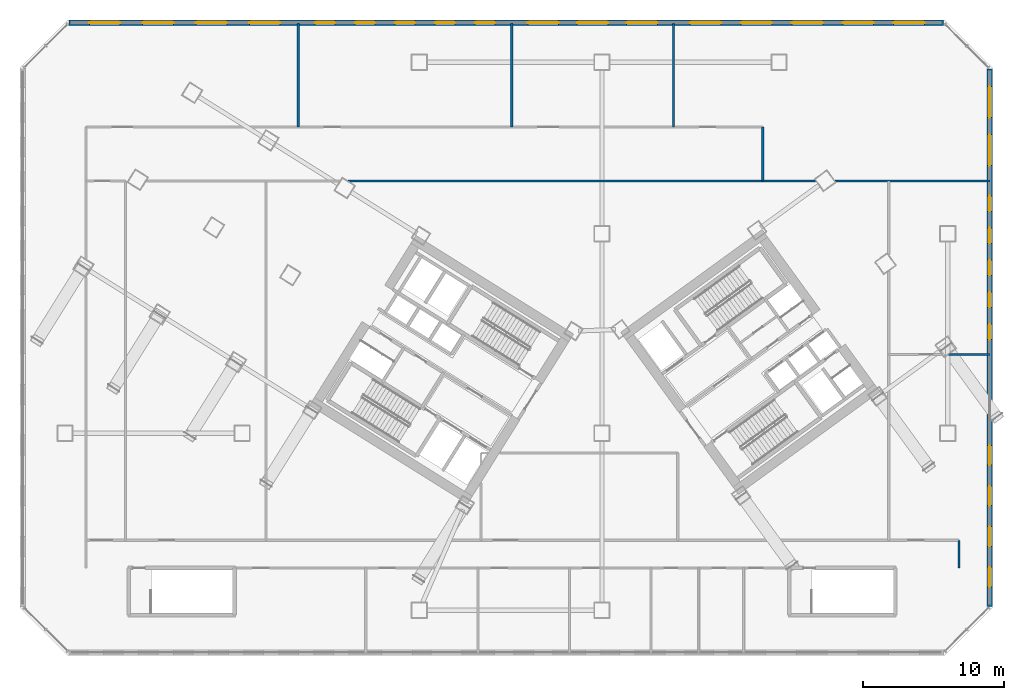
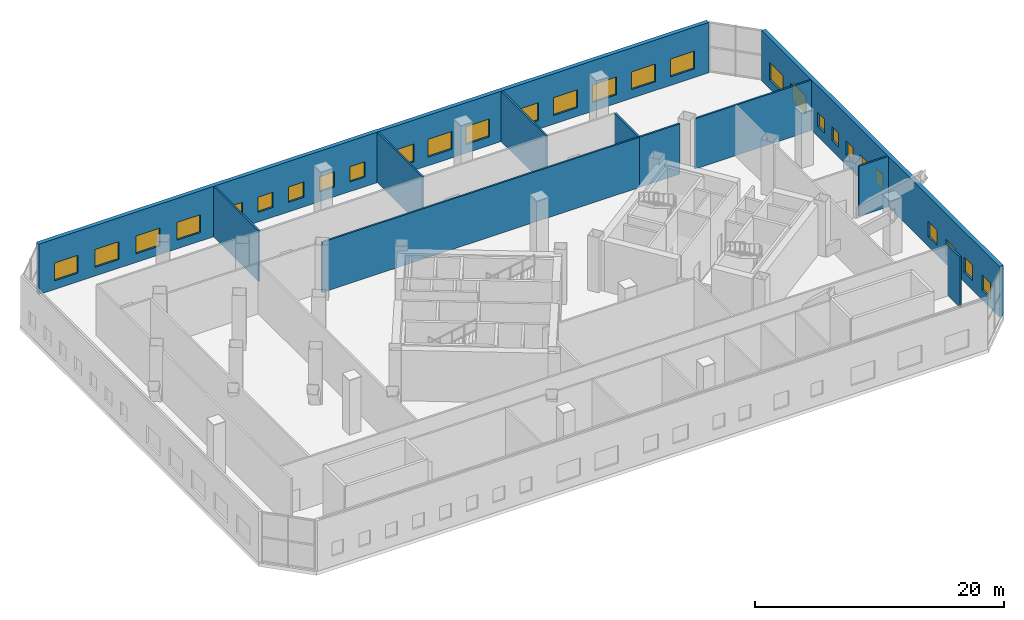
# One storey, part 17 of 23: 28 windows, 11 walls, 28 openings.
"""IFC4 building model written with IfcOpenShell, lengths in metres."""

from ifc_helpers import new_model, si_unit, direction, frame, frame_2d, origin, place, context, subcontext, project, spatial, rectangle, extrude, source, transform, mapped, material, layer, layer_set, type_object, element, fill, save


model = new_model("IFC4")

# Units and contexts
model_context = context("Model", 3, precision=1e-05, world=origin(), true_north=direction((0.0, 1.0)))
body_context = subcontext(model_context, "Body", "Model", "MODEL_VIEW")
ifc_project = project(units=[si_unit("LENGTHUNIT", "METRE"), si_unit("AREAUNIT", "SQUARE_METRE"), si_unit("VOLUMEUNIT", "CUBIC_METRE"), si_unit("PLANEANGLEUNIT", "RADIAN"), si_unit("MASSUNIT", "GRAM", prefix="KILO")], contexts=[model_context])

# Site, building, storey
site_placement = place(None, origin())
site = spatial("IfcSite", under=ifc_project, at=site_placement, CompositionType="ELEMENT")
building_placement = place(site_placement, origin())
building = spatial("IfcBuilding", under=site, at=building_placement, Name="Tlacorven Tower", CompositionType="ELEMENT")
storey_placement = place(building_placement, frame((0.0, 0.0, 18.60009765625)))
storey = spatial("IfcBuildingStorey", under=building, at=storey_placement, Name="L04", CompositionType="ELEMENT", Elevation=18.60009765625)

# Walls
ifc_material_1 = material(Name="Gypsum plasterboard acoustic partition", Category="gypsum")
ifc_layer_1 = layer(ifc_material_1, 0.159912109375)
ifc_layer_set_1 = layer_set([ifc_layer_1], Name="Gypsum plasterboard acoustic partition")
wall_type_1 = type_object("IfcWallType", Name="WL-DEM-160", PredefinedType="PARTITIONING", material=ifc_layer_set_1)
wall_1_placement = place(storey_placement, frame((24.749267578125, 35.14990234375, 0.0), z_axis=(0.0, 0.0, 1.0), x_axis=(1.0, 0.0, 0.0)))
element("IfcWall", 1, at=wall_1_placement, inside=storey, type_object=wall_type_1, Name="L04 partition 75", PredefinedType="PARTITIONING", context=body_context, shape_type="SweptSolid", body=[
    extrude(rectangle(XDim=29.500732421875, YDim=0.159912109375, at=frame_2d((14.75048828125, 0.0))), origin(), (0.0, 0.0, 1.0), 4.93994140625),
])
wall_2_placement = place(storey_placement, frame((54.25, 35.14990234375, 0.0), z_axis=(0.0, 0.0, 1.0), x_axis=(0.0, 1.0, 0.0)))
element("IfcWall", 2, at=wall_2_placement, inside=storey, type_object=wall_type_1, Name="L04 partition 77", PredefinedType="PARTITIONING", context=body_context, shape_type="SweptSolid", body=[
    extrude(rectangle(XDim=3.830078125, YDim=0.159912109375, at=frame_2d((1.9150390625, 0.0))), origin(), (0.0, 0.0, 1.0), 4.93994140625),
])
for number, where, z_axis, x_axis, name in (
    (3, (21.18994140625, 38.97998046875, 0.0), (0.0, 0.0, 1.0), (0.0, 1.0, 0.0), "L04 partition 79"),
    (4, (36.389892578125, 38.97998046875, 0.0), (0.0, 0.0, 1.0), (0.0, 1.0, 0.0), "L04 partition 80"),
    (5, (47.889892578125, 38.97998046875, 0.0), (0.0, 0.0, 1.0), (0.0, 1.0, 0.0), "L04 partition 81"),
):
    element("IfcWall", number, at=place(storey_placement, frame(where, z_axis=z_axis, x_axis=x_axis)), inside=storey, type_object=wall_type_1, Name=name, PredefinedType="PARTITIONING", context=body_context, shape_type="SweptSolid", body=[
        extrude(rectangle(XDim=7.419921875, YDim=0.159912109375, at=frame_2d((3.7099609375, 0.0))), origin(), (0.0, 0.0, 1.0), 4.93994140625),
    ])
wall_3_placement = place(storey_placement, frame((54.25, 35.14990234375, 0.0), z_axis=(0.0, 0.0, 1.0), x_axis=(1.0, 0.0, 0.0)))
element("IfcWall", 6, at=wall_3_placement, inside=storey, type_object=wall_type_1, Name="L04 partition 84", PredefinedType="PARTITIONING", context=body_context, shape_type="SweptSolid", body=[
    extrude(rectangle(XDim=3.75244140625, YDim=0.159912109375, at=frame_2d((1.876220703125, 0.0))), origin(), (0.0, 0.0, 1.0), 4.93994140625),
])
wall_4_placement = place(storey_placement, frame((59.391845703125, 35.14990234375, 0.0), z_axis=(0.0, 0.0, 1.0), x_axis=(1.0, 0.0, 0.0)))
element("IfcWall", 7, at=wall_4_placement, inside=storey, type_object=wall_type_1, Name="L04 partition 84", PredefinedType="PARTITIONING", context=body_context, shape_type="SweptSolid", body=[
    extrude(rectangle(XDim=11.008056640625, YDim=0.159912109375, at=frame_2d((5.50390625, 0.0))), origin(), (0.0, 0.0, 1.0), 4.93994140625),
])
wall_5_placement = place(storey_placement, frame((68.199951171875, 7.6201171875, 0.0), z_axis=(0.0, 0.0, 1.0), x_axis=(0.0, 1.0, 0.0)))
element("IfcWall", 8, at=wall_5_placement, inside=storey, type_object=wall_type_1, Name="L04 partition 85", PredefinedType="PARTITIONING", context=body_context, shape_type="SweptSolid", body=[
    extrude(rectangle(XDim=1.9599609375, YDim=0.159912109375, at=frame_2d((0.97998046875, 0.0))), origin(), (0.0, 0.0, 1.0), 4.93994140625),
])
wall_6_placement = place(storey_placement, frame((67.4619140625, 22.800048828125, 0.0), z_axis=(0.0, 0.0, 1.0), x_axis=(1.0, 0.0, 0.0)))
element("IfcWall", 9, at=wall_6_placement, inside=storey, type_object=wall_type_1, Name="L04 partition 86", PredefinedType="PARTITIONING", context=body_context, shape_type="SweptSolid", body=[
    extrude(rectangle(XDim=2.93798828125, YDim=0.159912109375, at=frame_2d((1.468994140625, 0.0))), origin(), (0.0, 0.0, 1.0), 4.93994140625),
])

# Wall, openings, windows
ifc_material_2 = material(Name="Precast concrete C45/55", Category="concrete")
ifc_layer_2 = layer(ifc_material_2, 0.3798828125)
ifc_layer_set_2 = layer_set([ifc_layer_2], Name="Precast concrete C45/55")
wall_type_2 = type_object("IfcWallType", Name="WL-EXT-380", PredefinedType="STANDARD", material=ifc_layer_set_2)
wall_7_placement = place(storey_placement, frame((4.8828125, 46.39990234375, 0.0), z_axis=(0.0, 0.0, 1.0), x_axis=(1.0, 0.0, 0.0)))
wall_7 = element("IfcWall", 10, at=wall_7_placement, inside=storey, type_object=wall_type_2, Name="L04 Podium Masonry-Frame Facade Wall 4", PredefinedType="STANDARD", context=body_context, shape_type="SweptSolid", body=[
    extrude(rectangle(XDim=62.234375, YDim=0.3798828125, at=frame_2d((31.1171875, 0.0))), origin(), (0.0, 0.0, 1.0), 4.949951171875),
])
opening_1_placement = place(wall_7_placement, frame((1.447021484375, 0.0, 0.85009765625)))
opening_1 = element("IfcOpeningElement", 11, at=opening_1_placement, cuts=wall_7, Name="Opening WN14", PredefinedType="OPENING", context=body_context, shape_type="SweptSolid", body=[
    extrude(rectangle(XDim=2.199951171875, YDim=1.75, at=frame_2d((1.10009765625, 0.875))), frame((0.0, 0.199951171875, 0.0), z_axis=(0.0, -1.0, 0.0), x_axis=(1.0, 0.0, 0.0)), (0.0, 0.0, 1.0), 0.39990234375),
])
opening_2_placement = place(wall_7_placement, frame((5.241455078125, 0.0, 0.85009765625)))
opening_2 = element("IfcOpeningElement", 12, at=opening_2_placement, cuts=wall_7, Name="Opening WN14", PredefinedType="OPENING", context=body_context, shape_type="SweptSolid", body=[
    extrude(rectangle(XDim=2.199951171875, YDim=1.75, at=frame_2d((1.10009765625, 0.875))), frame((0.0, 0.199951171875, 0.0), z_axis=(0.0, -1.0, 0.0), x_axis=(1.0, 0.0, 0.0)), (0.0, 0.0, 1.0), 0.39990234375),
])
opening_3_placement = place(wall_7_placement, frame((9.03564453125, 0.0, 0.85009765625)))
opening_3 = element("IfcOpeningElement", 13, at=opening_3_placement, cuts=wall_7, Name="Opening WN14", PredefinedType="OPENING", context=body_context, shape_type="SweptSolid", body=[
    extrude(rectangle(XDim=2.199951171875, YDim=1.75, at=frame_2d((1.10009765625, 0.875))), frame((0.0, 0.199951171875, 0.0), z_axis=(0.0, -1.0, 0.0), x_axis=(1.0, 0.0, 0.0)), (0.0, 0.0, 1.0), 0.39990234375),
])
opening_4_placement = place(wall_7_placement, frame((12.830078125, 0.0, 0.85009765625)))
opening_4 = element("IfcOpeningElement", 14, at=opening_4_placement, cuts=wall_7, Name="Opening WN14", PredefinedType="OPENING", context=body_context, shape_type="SweptSolid", body=[
    extrude(rectangle(XDim=2.199951171875, YDim=1.75, at=frame_2d((1.10009765625, 0.875))), frame((0.0, 0.199951171875, 0.0), z_axis=(0.0, -1.0, 0.0), x_axis=(1.0, 0.0, 0.0)), (0.0, 0.0, 1.0), 0.39990234375),
])
opening_5_placement = place(wall_7_placement, frame((17.51123046875, 0.0, 0.949951171875)))
opening_5 = element("IfcOpeningElement", 15, at=opening_5_placement, cuts=wall_7, Name="Opening WN15", PredefinedType="OPENING", context=body_context, shape_type="SweptSolid", body=[
    extrude(rectangle(XDim=1.39990234375, YDim=1.5, at=frame_2d((0.699951171875, 0.75))), frame((0.0, 0.199951171875, 0.0), z_axis=(0.0, -1.0, 0.0), x_axis=(1.0, 0.0, 0.0)), (0.0, 0.0, 1.0), 0.39990234375),
])
opening_6_placement = place(wall_7_placement, frame((20.359130859375, 0.0, 0.949951171875)))
opening_6 = element("IfcOpeningElement", 16, at=opening_6_placement, cuts=wall_7, Name="Opening WN15", PredefinedType="OPENING", context=body_context, shape_type="SweptSolid", body=[
    extrude(rectangle(XDim=1.39990234375, YDim=1.5, at=frame_2d((0.699951171875, 0.75))), frame((0.0, 0.199951171875, 0.0), z_axis=(0.0, -1.0, 0.0), x_axis=(1.0, 0.0, 0.0)), (0.0, 0.0, 1.0), 0.39990234375),
])
opening_7_placement = place(wall_7_placement, frame((23.207275390625, 0.0, 0.949951171875)))
opening_7 = element("IfcOpeningElement", 17, at=opening_7_placement, cuts=wall_7, Name="Opening WN15", PredefinedType="OPENING", context=body_context, shape_type="SweptSolid", body=[
    extrude(rectangle(XDim=1.39990234375, YDim=1.5, at=frame_2d((0.699951171875, 0.75))), frame((0.0, 0.199951171875, 0.0), z_axis=(0.0, -1.0, 0.0), x_axis=(1.0, 0.0, 0.0)), (0.0, 0.0, 1.0), 0.39990234375),
])
opening_8_placement = place(wall_7_placement, frame((26.05517578125, 0.0, 0.949951171875)))
opening_8 = element("IfcOpeningElement", 18, at=opening_8_placement, cuts=wall_7, Name="Opening WN15", PredefinedType="OPENING", context=body_context, shape_type="SweptSolid", body=[
    extrude(rectangle(XDim=1.39990234375, YDim=1.5, at=frame_2d((0.699951171875, 0.75))), frame((0.0, 0.199951171875, 0.0), z_axis=(0.0, -1.0, 0.0), x_axis=(1.0, 0.0, 0.0)), (0.0, 0.0, 1.0), 0.39990234375),
])
opening_9_placement = place(wall_7_placement, frame((28.9033203125, 0.0, 0.949951171875)))
opening_9 = element("IfcOpeningElement", 19, at=opening_9_placement, cuts=wall_7, Name="Opening WN15", PredefinedType="OPENING", context=body_context, shape_type="SweptSolid", body=[
    extrude(rectangle(XDim=1.39990234375, YDim=1.5, at=frame_2d((0.699951171875, 0.75))), frame((0.0, 0.199951171875, 0.0), z_axis=(0.0, -1.0, 0.0), x_axis=(1.0, 0.0, 0.0)), (0.0, 0.0, 1.0), 0.39990234375),
])
opening_10_placement = place(wall_7_placement, frame((32.643798828125, 0.0, 0.85009765625)))
opening_10 = element("IfcOpeningElement", 20, at=opening_10_placement, cuts=wall_7, Name="Opening WN14", PredefinedType="OPENING", context=body_context, shape_type="SweptSolid", body=[
    extrude(rectangle(XDim=2.199951171875, YDim=1.75, at=frame_2d((1.10009765625, 0.875))), frame((0.0, 0.199951171875, 0.0), z_axis=(0.0, -1.0, 0.0), x_axis=(1.0, 0.0, 0.0)), (0.0, 0.0, 1.0), 0.39990234375),
])
opening_11_placement = place(wall_7_placement, frame((36.1572265625, 0.0, 0.85009765625)))
opening_11 = element("IfcOpeningElement", 21, at=opening_11_placement, cuts=wall_7, Name="Opening WN14", PredefinedType="OPENING", context=body_context, shape_type="SweptSolid", body=[
    extrude(rectangle(XDim=2.199951171875, YDim=1.75, at=frame_2d((1.10009765625, 0.875))), frame((0.0, 0.199951171875, 0.0), z_axis=(0.0, -1.0, 0.0), x_axis=(1.0, 0.0, 0.0)), (0.0, 0.0, 1.0), 0.39990234375),
])
opening_12_placement = place(wall_7_placement, frame((39.67041015625, 0.0, 0.85009765625)))
opening_12 = element("IfcOpeningElement", 22, at=opening_12_placement, cuts=wall_7, Name="Opening WN14", PredefinedType="OPENING", context=body_context, shape_type="SweptSolid", body=[
    extrude(rectangle(XDim=2.199951171875, YDim=1.75, at=frame_2d((1.10009765625, 0.875))), frame((0.0, 0.199951171875, 0.0), z_axis=(0.0, -1.0, 0.0), x_axis=(1.0, 0.0, 0.0)), (0.0, 0.0, 1.0), 0.39990234375),
])
opening_13_placement = place(wall_7_placement, frame((44.197021484375, 0.0, 0.85009765625)))
opening_13 = element("IfcOpeningElement", 23, at=opening_13_placement, cuts=wall_7, Name="Opening WN14", PredefinedType="OPENING", context=body_context, shape_type="SweptSolid", body=[
    extrude(rectangle(XDim=2.199951171875, YDim=1.75, at=frame_2d((1.10009765625, 0.875))), frame((0.0, 0.199951171875, 0.0), z_axis=(0.0, -1.0, 0.0), x_axis=(1.0, 0.0, 0.0)), (0.0, 0.0, 1.0), 0.39990234375),
])
opening_14_placement = place(wall_7_placement, frame((47.81640625, 0.0, 0.85009765625)))
opening_14 = element("IfcOpeningElement", 24, at=opening_14_placement, cuts=wall_7, Name="Opening WN14", PredefinedType="OPENING", context=body_context, shape_type="SweptSolid", body=[
    extrude(rectangle(XDim=2.199951171875, YDim=1.75, at=frame_2d((1.10009765625, 0.875))), frame((0.0, 0.199951171875, 0.0), z_axis=(0.0, -1.0, 0.0), x_axis=(1.0, 0.0, 0.0)), (0.0, 0.0, 1.0), 0.39990234375),
])
opening_15_placement = place(wall_7_placement, frame((51.435791015625, 0.0, 0.85009765625)))
opening_15 = element("IfcOpeningElement", 25, at=opening_15_placement, cuts=wall_7, Name="Opening WN14", PredefinedType="OPENING", context=body_context, shape_type="SweptSolid", body=[
    extrude(rectangle(XDim=2.199951171875, YDim=1.75, at=frame_2d((1.10009765625, 0.875))), frame((0.0, 0.199951171875, 0.0), z_axis=(0.0, -1.0, 0.0), x_axis=(1.0, 0.0, 0.0)), (0.0, 0.0, 1.0), 0.39990234375),
])
opening_16_placement = place(wall_7_placement, frame((55.05517578125, 0.0, 0.85009765625)))
opening_16 = element("IfcOpeningElement", 26, at=opening_16_placement, cuts=wall_7, Name="Opening WN14", PredefinedType="OPENING", context=body_context, shape_type="SweptSolid", body=[
    extrude(rectangle(XDim=2.199951171875, YDim=1.75, at=frame_2d((1.10009765625, 0.875))), frame((0.0, 0.199951171875, 0.0), z_axis=(0.0, -1.0, 0.0), x_axis=(1.0, 0.0, 0.0)), (0.0, 0.0, 1.0), 0.39990234375),
])
opening_17_placement = place(wall_7_placement, frame((58.674560546875, 0.0, 0.85009765625)))
opening_17 = element("IfcOpeningElement", 27, at=opening_17_placement, cuts=wall_7, Name="Opening WN14", PredefinedType="OPENING", context=body_context, shape_type="SweptSolid", body=[
    extrude(rectangle(XDim=2.199951171875, YDim=1.75, at=frame_2d((1.10009765625, 0.875))), frame((0.0, 0.199951171875, 0.0), z_axis=(0.0, -1.0, 0.0), x_axis=(1.0, 0.0, 0.0)), (0.0, 0.0, 1.0), 0.39990234375),
])
ifc_material_3 = material(Name="Dark solar low-E double glazing in anodised aluminium frame", Category="aluminium")
window_type_1 = type_object("IfcWindowType", Name="WN-CLN-2200X1850", PartitioningType="SINGLE_PANEL", PredefinedType="WINDOW", material=ifc_material_3)
shared_shape_1 = source(origin(), body_context, "Body", "SweptSolid", [
    extrude(rectangle(XDim=2.199951171875, YDim=1.75, at=frame_2d((1.10009765625, 0.875))), frame((0.0, 0.030029296875, 0.0), z_axis=(0.0, -1.0, 0.0), x_axis=(1.0, 0.0, 0.0)), (0.0, 0.0, 1.0), 0.06005859375),
])
window_1_placement = place(opening_1_placement, origin())
window_1 = element("IfcWindow", 28, at=window_1_placement, inside=storey, type_object=window_type_1, Name="L04 Podium Recessed Facade Window 4.1", OverallHeight=1.75, OverallWidth=2.199951171875, PartitioningType="SINGLE_PANEL", PredefinedType="WINDOW", context=body_context, shape_type="MappedRepresentation", body=[
    mapped(shared_shape_1, transform((0.0, 0.0, 0.0), scale=1.0)),
])
fill(opening_1, window_1)
window_2_placement = place(opening_2_placement, origin())
window_2 = element("IfcWindow", 29, at=window_2_placement, inside=storey, type_object=window_type_1, Name="L04 Podium Recessed Facade Window 4.2", OverallHeight=1.75, OverallWidth=2.199951171875, PartitioningType="SINGLE_PANEL", PredefinedType="WINDOW", context=body_context, shape_type="MappedRepresentation", body=[
    mapped(shared_shape_1, transform((0.0, 0.0, 0.0), scale=1.0)),
])
fill(opening_2, window_2)
window_3_placement = place(opening_3_placement, origin())
window_3 = element("IfcWindow", 30, at=window_3_placement, inside=storey, type_object=window_type_1, Name="L04 Podium Recessed Facade Window 4.3", OverallHeight=1.75, OverallWidth=2.199951171875, PartitioningType="SINGLE_PANEL", PredefinedType="WINDOW", context=body_context, shape_type="MappedRepresentation", body=[
    mapped(shared_shape_1, transform((0.0, 0.0, 0.0), scale=1.0)),
])
fill(opening_3, window_3)
window_4_placement = place(opening_4_placement, origin())
window_4 = element("IfcWindow", 31, at=window_4_placement, inside=storey, type_object=window_type_1, Name="L04 Podium Recessed Facade Window 4.4", OverallHeight=1.75, OverallWidth=2.199951171875, PartitioningType="SINGLE_PANEL", PredefinedType="WINDOW", context=body_context, shape_type="MappedRepresentation", body=[
    mapped(shared_shape_1, transform((0.0, 0.0, 0.0), scale=1.0)),
])
fill(opening_4, window_4)
window_5_placement = place(opening_10_placement, origin())
window_5 = element("IfcWindow", 32, at=window_5_placement, inside=storey, type_object=window_type_1, Name="L04 Podium Recessed Facade Window 4.10", OverallHeight=1.75, OverallWidth=2.199951171875, PartitioningType="SINGLE_PANEL", PredefinedType="WINDOW", context=body_context, shape_type="MappedRepresentation", body=[
    mapped(shared_shape_1, transform((0.0, 0.0, 0.0), scale=1.0)),
])
fill(opening_10, window_5)
window_6_placement = place(opening_11_placement, origin())
window_6 = element("IfcWindow", 33, at=window_6_placement, inside=storey, type_object=window_type_1, Name="L04 Podium Recessed Facade Window 4.11", OverallHeight=1.75, OverallWidth=2.199951171875, PartitioningType="SINGLE_PANEL", PredefinedType="WINDOW", context=body_context, shape_type="MappedRepresentation", body=[
    mapped(shared_shape_1, transform((0.0, 0.0, 0.0), scale=1.0)),
])
fill(opening_11, window_6)
window_7_placement = place(opening_12_placement, origin())
window_7 = element("IfcWindow", 34, at=window_7_placement, inside=storey, type_object=window_type_1, Name="L04 Podium Recessed Facade Window 4.12", OverallHeight=1.75, OverallWidth=2.199951171875, PartitioningType="SINGLE_PANEL", PredefinedType="WINDOW", context=body_context, shape_type="MappedRepresentation", body=[
    mapped(shared_shape_1, transform((0.0, 0.0, 0.0), scale=1.0)),
])
fill(opening_12, window_7)
window_8_placement = place(opening_13_placement, origin())
window_8 = element("IfcWindow", 35, at=window_8_placement, inside=storey, type_object=window_type_1, Name="L04 Podium Recessed Facade Window 4.13", OverallHeight=1.75, OverallWidth=2.199951171875, PartitioningType="SINGLE_PANEL", PredefinedType="WINDOW", context=body_context, shape_type="MappedRepresentation", body=[
    mapped(shared_shape_1, transform((0.0, 0.0, 0.0), scale=1.0)),
])
fill(opening_13, window_8)
window_9_placement = place(opening_14_placement, origin())
window_9 = element("IfcWindow", 36, at=window_9_placement, inside=storey, type_object=window_type_1, Name="L04 Podium Recessed Facade Window 4.14", OverallHeight=1.75, OverallWidth=2.199951171875, PartitioningType="SINGLE_PANEL", PredefinedType="WINDOW", context=body_context, shape_type="MappedRepresentation", body=[
    mapped(shared_shape_1, transform((0.0, 0.0, 0.0), scale=1.0)),
])
fill(opening_14, window_9)
window_10_placement = place(opening_15_placement, origin())
window_10 = element("IfcWindow", 37, at=window_10_placement, inside=storey, type_object=window_type_1, Name="L04 Podium Recessed Facade Window 4.15", OverallHeight=1.75, OverallWidth=2.199951171875, PartitioningType="SINGLE_PANEL", PredefinedType="WINDOW", context=body_context, shape_type="MappedRepresentation", body=[
    mapped(shared_shape_1, transform((0.0, 0.0, 0.0), scale=1.0)),
])
fill(opening_15, window_10)
window_11_placement = place(opening_16_placement, origin())
window_11 = element("IfcWindow", 38, at=window_11_placement, inside=storey, type_object=window_type_1, Name="L04 Podium Recessed Facade Window 4.16", OverallHeight=1.75, OverallWidth=2.199951171875, PartitioningType="SINGLE_PANEL", PredefinedType="WINDOW", context=body_context, shape_type="MappedRepresentation", body=[
    mapped(shared_shape_1, transform((0.0, 0.0, 0.0), scale=1.0)),
])
fill(opening_16, window_11)
window_12_placement = place(opening_17_placement, origin())
window_12 = element("IfcWindow", 39, at=window_12_placement, inside=storey, type_object=window_type_1, Name="L04 Podium Recessed Facade Window 4.17", OverallHeight=1.75, OverallWidth=2.199951171875, PartitioningType="SINGLE_PANEL", PredefinedType="WINDOW", context=body_context, shape_type="MappedRepresentation", body=[
    mapped(shared_shape_1, transform((0.0, 0.0, 0.0), scale=1.0)),
])
fill(opening_17, window_12)
window_type_2 = type_object("IfcWindowType", Name="WN-CLN-1400X1600", PartitioningType="SINGLE_PANEL", PredefinedType="WINDOW", material=ifc_material_3)
shared_shape_2 = source(origin(), body_context, "Body", "SweptSolid", [
    extrude(rectangle(XDim=1.39990234375, YDim=1.5, at=frame_2d((0.699951171875, 0.75))), frame((0.0, 0.030029296875, 0.0), z_axis=(0.0, -1.0, 0.0), x_axis=(1.0, 0.0, 0.0)), (0.0, 0.0, 1.0), 0.06005859375),
])
window_13_placement = place(opening_5_placement, origin())
window_13 = element("IfcWindow", 40, at=window_13_placement, inside=storey, type_object=window_type_2, Name="L04 Podium Recessed Facade Window 4.5", OverallHeight=1.5, OverallWidth=1.39990234375, PartitioningType="SINGLE_PANEL", PredefinedType="WINDOW", context=body_context, shape_type="MappedRepresentation", body=[
    mapped(shared_shape_2, transform((0.0, 0.0, 0.0), scale=1.0)),
])
fill(opening_5, window_13)
window_14_placement = place(opening_6_placement, origin())
window_14 = element("IfcWindow", 41, at=window_14_placement, inside=storey, type_object=window_type_2, Name="L04 Podium Recessed Facade Window 4.6", OverallHeight=1.5, OverallWidth=1.39990234375, PartitioningType="SINGLE_PANEL", PredefinedType="WINDOW", context=body_context, shape_type="MappedRepresentation", body=[
    mapped(shared_shape_2, transform((0.0, 0.0, 0.0), scale=1.0)),
])
fill(opening_6, window_14)
window_15_placement = place(opening_7_placement, origin())
window_15 = element("IfcWindow", 42, at=window_15_placement, inside=storey, type_object=window_type_2, Name="L04 Podium Recessed Facade Window 4.7", OverallHeight=1.5, OverallWidth=1.39990234375, PartitioningType="SINGLE_PANEL", PredefinedType="WINDOW", context=body_context, shape_type="MappedRepresentation", body=[
    mapped(shared_shape_2, transform((0.0, 0.0, 0.0), scale=1.0)),
])
fill(opening_7, window_15)
window_16_placement = place(opening_8_placement, origin())
window_16 = element("IfcWindow", 43, at=window_16_placement, inside=storey, type_object=window_type_2, Name="L04 Podium Recessed Facade Window 4.8", OverallHeight=1.5, OverallWidth=1.39990234375, PartitioningType="SINGLE_PANEL", PredefinedType="WINDOW", context=body_context, shape_type="MappedRepresentation", body=[
    mapped(shared_shape_2, transform((0.0, 0.0, 0.0), scale=1.0)),
])
fill(opening_8, window_16)
window_17_placement = place(opening_9_placement, origin())
window_17 = element("IfcWindow", 44, at=window_17_placement, inside=storey, type_object=window_type_2, Name="L04 Podium Recessed Facade Window 4.9", OverallHeight=1.5, OverallWidth=1.39990234375, PartitioningType="SINGLE_PANEL", PredefinedType="WINDOW", context=body_context, shape_type="MappedRepresentation", body=[
    mapped(shared_shape_2, transform((0.0, 0.0, 0.0), scale=1.0)),
])
fill(opening_9, window_17)

wall_8_placement = place(storey_placement, frame((70.39990234375, 43.1171875, 0.0), z_axis=(0.0, 0.0, 1.0), x_axis=(0.0, -1.0, 0.0)))
wall_8 = element("IfcWall", 45, at=wall_8_placement, inside=storey, type_object=wall_type_2, Name="L04 Podium Masonry-Frame Facade Wall 6", PredefinedType="STANDARD", context=body_context, shape_type="SweptSolid", body=[
    extrude(rectangle(XDim=38.234375, YDim=0.3798828125, at=frame_2d((19.1171875, 0.0))), origin(), (0.0, 0.0, 1.0), 4.949951171875),
])
opening_18_placement = place(wall_8_placement, frame((1.25927734375, 0.0, 0.85009765625)))
opening_18 = element("IfcOpeningElement", 46, at=opening_18_placement, cuts=wall_8, Name="Opening WN14", PredefinedType="OPENING", context=body_context, shape_type="SweptSolid", body=[
    extrude(rectangle(XDim=2.199951171875, YDim=1.75, at=frame_2d((1.10009765625, 0.875))), frame((0.0, 0.199951171875, 0.0), z_axis=(0.0, -1.0, 0.0), x_axis=(1.0, 0.0, 0.0)), (0.0, 0.0, 1.0), 0.39990234375),
])
opening_19_placement = place(wall_8_placement, frame((4.677978515625, 0.0, 0.85009765625)))
opening_19 = element("IfcOpeningElement", 47, at=opening_19_placement, cuts=wall_8, Name="Opening WN14", PredefinedType="OPENING", context=body_context, shape_type="SweptSolid", body=[
    extrude(rectangle(XDim=2.199951171875, YDim=1.75, at=frame_2d((1.10009765625, 0.875))), frame((0.0, 0.199951171875, 0.0), z_axis=(0.0, -1.0, 0.0), x_axis=(1.0, 0.0, 0.0)), (0.0, 0.0, 1.0), 0.39990234375),
])
opening_20_placement = place(wall_8_placement, frame((9.0361328125, 0.0, 1.0)))
opening_20 = element("IfcOpeningElement", 48, at=opening_20_placement, cuts=wall_8, Name="Opening WN16", PredefinedType="OPENING", context=body_context, shape_type="SweptSolid", body=[
    extrude(rectangle(XDim=1.10009765625, YDim=1.35009765625, at=frame_2d((0.550048828125, 0.675048828125))), frame((0.0, 0.199951171875, 0.0), z_axis=(0.0, -1.0, 0.0), x_axis=(1.0, 0.0, 0.0)), (0.0, 0.0, 1.0), 0.39990234375),
])
opening_21_placement = place(wall_8_placement, frame((11.314208984375, 0.0, 1.0)))
opening_21 = element("IfcOpeningElement", 49, at=opening_21_placement, cuts=wall_8, Name="Opening WN16", PredefinedType="OPENING", context=body_context, shape_type="SweptSolid", body=[
    extrude(rectangle(XDim=1.10009765625, YDim=1.35009765625, at=frame_2d((0.550048828125, 0.675048828125))), frame((0.0, 0.199951171875, 0.0), z_axis=(0.0, -1.0, 0.0), x_axis=(1.0, 0.0, 0.0)), (0.0, 0.0, 1.0), 0.39990234375),
])
opening_22_placement = place(wall_8_placement, frame((13.59228515625, 0.0, 1.0)))
opening_22 = element("IfcOpeningElement", 50, at=opening_22_placement, cuts=wall_8, Name="Opening WN16", PredefinedType="OPENING", context=body_context, shape_type="SweptSolid", body=[
    extrude(rectangle(XDim=1.10009765625, YDim=1.35009765625, at=frame_2d((0.550048828125, 0.675048828125))), frame((0.0, 0.199951171875, 0.0), z_axis=(0.0, -1.0, 0.0), x_axis=(1.0, 0.0, 0.0)), (0.0, 0.0, 1.0), 0.39990234375),
])
opening_23_placement = place(wall_8_placement, frame((15.8701171875, 0.0, 1.0)))
opening_23 = element("IfcOpeningElement", 51, at=opening_23_placement, cuts=wall_8, Name="Opening WN16", PredefinedType="OPENING", context=body_context, shape_type="SweptSolid", body=[
    extrude(rectangle(XDim=1.10009765625, YDim=1.35009765625, at=frame_2d((0.550048828125, 0.675048828125))), frame((0.0, 0.199951171875, 0.0), z_axis=(0.0, -1.0, 0.0), x_axis=(1.0, 0.0, 0.0)), (0.0, 0.0, 1.0), 0.39990234375),
])
opening_24_placement = place(wall_8_placement, frame((18.148193359375, 0.0, 1.0)))
opening_24 = element("IfcOpeningElement", 52, at=opening_24_placement, cuts=wall_8, Name="Opening WN16", PredefinedType="OPENING", context=body_context, shape_type="SweptSolid", body=[
    extrude(rectangle(XDim=1.10009765625, YDim=1.35009765625, at=frame_2d((0.550048828125, 0.675048828125))), frame((0.0, 0.199951171875, 0.0), z_axis=(0.0, -1.0, 0.0), x_axis=(1.0, 0.0, 0.0)), (0.0, 0.0, 1.0), 0.39990234375),
])
opening_25_placement = place(wall_8_placement, frame((26.792236328125, 0.0, 0.949951171875)))
opening_25 = element("IfcOpeningElement", 53, at=opening_25_placement, cuts=wall_8, Name="Opening WN15", PredefinedType="OPENING", context=body_context, shape_type="SweptSolid", body=[
    extrude(rectangle(XDim=1.39990234375, YDim=1.5, at=frame_2d((0.699951171875, 0.75))), frame((0.0, 0.199951171875, 0.0), z_axis=(0.0, -1.0, 0.0), x_axis=(1.0, 0.0, 0.0)), (0.0, 0.0, 1.0), 0.39990234375),
])
opening_26_placement = place(wall_8_placement, frame((29.67578125, 0.0, 0.949951171875)))
opening_26 = element("IfcOpeningElement", 54, at=opening_26_placement, cuts=wall_8, Name="Opening WN15", PredefinedType="OPENING", context=body_context, shape_type="SweptSolid", body=[
    extrude(rectangle(XDim=1.39990234375, YDim=1.5, at=frame_2d((0.699951171875, 0.75))), frame((0.0, 0.199951171875, 0.0), z_axis=(0.0, -1.0, 0.0), x_axis=(1.0, 0.0, 0.0)), (0.0, 0.0, 1.0), 0.39990234375),
])
opening_27_placement = place(wall_8_placement, frame((32.55908203125, 0.0, 0.949951171875)))
opening_27 = element("IfcOpeningElement", 55, at=opening_27_placement, cuts=wall_8, Name="Opening WN15", PredefinedType="OPENING", context=body_context, shape_type="SweptSolid", body=[
    extrude(rectangle(XDim=1.39990234375, YDim=1.5, at=frame_2d((0.699951171875, 0.75))), frame((0.0, 0.199951171875, 0.0), z_axis=(0.0, -1.0, 0.0), x_axis=(1.0, 0.0, 0.0)), (0.0, 0.0, 1.0), 0.39990234375),
])
opening_28_placement = place(wall_8_placement, frame((35.442626953125, 0.0, 0.949951171875)))
opening_28 = element("IfcOpeningElement", 56, at=opening_28_placement, cuts=wall_8, Name="Opening WN15", PredefinedType="OPENING", context=body_context, shape_type="SweptSolid", body=[
    extrude(rectangle(XDim=1.39990234375, YDim=1.5, at=frame_2d((0.699951171875, 0.75))), frame((0.0, 0.199951171875, 0.0), z_axis=(0.0, -1.0, 0.0), x_axis=(1.0, 0.0, 0.0)), (0.0, 0.0, 1.0), 0.39990234375),
])
window_18_placement = place(opening_18_placement, origin())
window_18 = element("IfcWindow", 57, at=window_18_placement, inside=storey, type_object=window_type_1, Name="L04 Podium Recessed Facade Window 6.1", OverallHeight=1.75, OverallWidth=2.199951171875, PartitioningType="SINGLE_PANEL", PredefinedType="WINDOW", context=body_context, shape_type="MappedRepresentation", body=[
    mapped(shared_shape_1, transform((0.0, 0.0, 0.0), scale=1.0)),
])
fill(opening_18, window_18)
window_19_placement = place(opening_19_placement, origin())
window_19 = element("IfcWindow", 58, at=window_19_placement, inside=storey, type_object=window_type_1, Name="L04 Podium Recessed Facade Window 6.2", OverallHeight=1.75, OverallWidth=2.199951171875, PartitioningType="SINGLE_PANEL", PredefinedType="WINDOW", context=body_context, shape_type="MappedRepresentation", body=[
    mapped(shared_shape_1, transform((0.0, 0.0, 0.0), scale=1.0)),
])
fill(opening_19, window_19)
window_type_3 = type_object("IfcWindowType", Name="WN-CLN-1100X1400", PartitioningType="SINGLE_PANEL", PredefinedType="WINDOW", material=ifc_material_3)
shared_shape_3 = source(origin(), body_context, "Body", "SweptSolid", [
    extrude(rectangle(XDim=1.10009765625, YDim=1.35009765625, at=frame_2d((0.550048828125, 0.675048828125))), frame((0.0, 0.030029296875, 0.0), z_axis=(0.0, -1.0, 0.0), x_axis=(1.0, 0.0, 0.0)), (0.0, 0.0, 1.0), 0.06005859375),
])
window_20_placement = place(opening_20_placement, origin())
window_20 = element("IfcWindow", 59, at=window_20_placement, inside=storey, type_object=window_type_3, Name="L04 Podium Recessed Facade Window 6.3", OverallHeight=1.35009765625, OverallWidth=1.10009765625, PartitioningType="SINGLE_PANEL", PredefinedType="WINDOW", context=body_context, shape_type="MappedRepresentation", body=[
    mapped(shared_shape_3, transform((0.0, 0.0, 0.0), scale=1.0)),
])
fill(opening_20, window_20)
window_21_placement = place(opening_21_placement, origin())
window_21 = element("IfcWindow", 60, at=window_21_placement, inside=storey, type_object=window_type_3, Name="L04 Podium Recessed Facade Window 6.4", OverallHeight=1.35009765625, OverallWidth=1.10009765625, PartitioningType="SINGLE_PANEL", PredefinedType="WINDOW", context=body_context, shape_type="MappedRepresentation", body=[
    mapped(shared_shape_3, transform((0.0, 0.0, 0.0), scale=1.0)),
])
fill(opening_21, window_21)
window_22_placement = place(opening_22_placement, origin())
window_22 = element("IfcWindow", 61, at=window_22_placement, inside=storey, type_object=window_type_3, Name="L04 Podium Recessed Facade Window 6.5", OverallHeight=1.35009765625, OverallWidth=1.10009765625, PartitioningType="SINGLE_PANEL", PredefinedType="WINDOW", context=body_context, shape_type="MappedRepresentation", body=[
    mapped(shared_shape_3, transform((0.0, 0.0, 0.0), scale=1.0)),
])
fill(opening_22, window_22)
window_23_placement = place(opening_23_placement, origin())
window_23 = element("IfcWindow", 62, at=window_23_placement, inside=storey, type_object=window_type_3, Name="L04 Podium Recessed Facade Window 6.6", OverallHeight=1.35009765625, OverallWidth=1.10009765625, PartitioningType="SINGLE_PANEL", PredefinedType="WINDOW", context=body_context, shape_type="MappedRepresentation", body=[
    mapped(shared_shape_3, transform((0.0, 0.0, 0.0), scale=1.0)),
])
fill(opening_23, window_23)
window_24_placement = place(opening_24_placement, origin())
window_24 = element("IfcWindow", 63, at=window_24_placement, inside=storey, type_object=window_type_3, Name="L04 Podium Recessed Facade Window 6.7", OverallHeight=1.35009765625, OverallWidth=1.10009765625, PartitioningType="SINGLE_PANEL", PredefinedType="WINDOW", context=body_context, shape_type="MappedRepresentation", body=[
    mapped(shared_shape_3, transform((0.0, 0.0, 0.0), scale=1.0)),
])
fill(opening_24, window_24)
window_25_placement = place(opening_25_placement, origin())
window_25 = element("IfcWindow", 64, at=window_25_placement, inside=storey, type_object=window_type_2, Name="L04 Podium Recessed Facade Window 6.8", OverallHeight=1.5, OverallWidth=1.39990234375, PartitioningType="SINGLE_PANEL", PredefinedType="WINDOW", context=body_context, shape_type="MappedRepresentation", body=[
    mapped(shared_shape_2, transform((0.0, 0.0, 0.0), scale=1.0)),
])
fill(opening_25, window_25)
window_26_placement = place(opening_26_placement, origin())
window_26 = element("IfcWindow", 65, at=window_26_placement, inside=storey, type_object=window_type_2, Name="L04 Podium Recessed Facade Window 6.9", OverallHeight=1.5, OverallWidth=1.39990234375, PartitioningType="SINGLE_PANEL", PredefinedType="WINDOW", context=body_context, shape_type="MappedRepresentation", body=[
    mapped(shared_shape_2, transform((0.0, 0.0, 0.0), scale=1.0)),
])
fill(opening_26, window_26)
window_27_placement = place(opening_27_placement, origin())
window_27 = element("IfcWindow", 66, at=window_27_placement, inside=storey, type_object=window_type_2, Name="L04 Podium Recessed Facade Window 6.10", OverallHeight=1.5, OverallWidth=1.39990234375, PartitioningType="SINGLE_PANEL", PredefinedType="WINDOW", context=body_context, shape_type="MappedRepresentation", body=[
    mapped(shared_shape_2, transform((0.0, 0.0, 0.0), scale=1.0)),
])
fill(opening_27, window_27)
window_28_placement = place(opening_28_placement, origin())
window_28 = element("IfcWindow", 67, at=window_28_placement, inside=storey, type_object=window_type_2, Name="L04 Podium Recessed Facade Window 6.11", OverallHeight=1.5, OverallWidth=1.39990234375, PartitioningType="SINGLE_PANEL", PredefinedType="WINDOW", context=body_context, shape_type="MappedRepresentation", body=[
    mapped(shared_shape_2, transform((0.0, 0.0, 0.0), scale=1.0)),
])
fill(opening_28, window_28)

save(model, "model.ifc")
